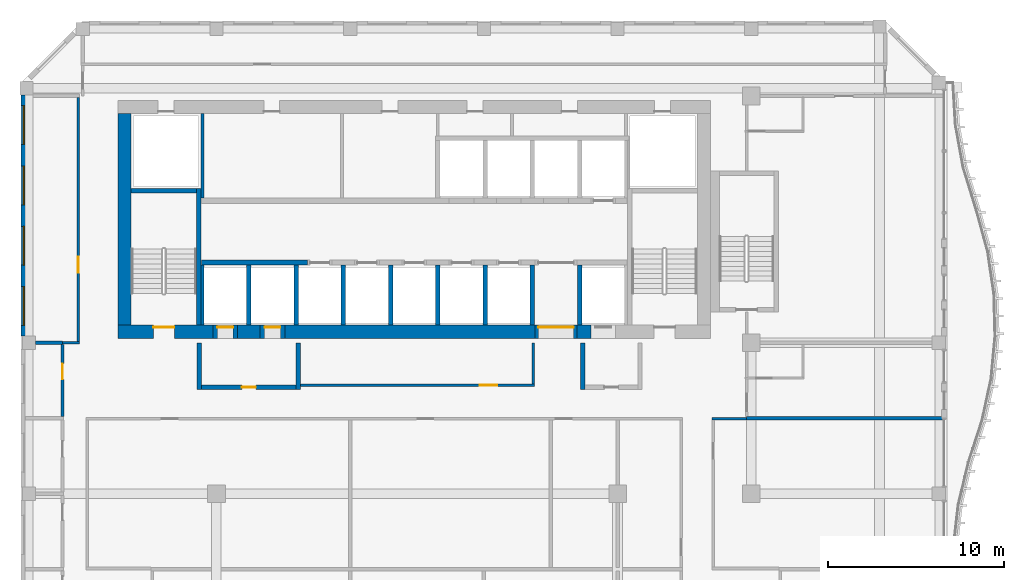
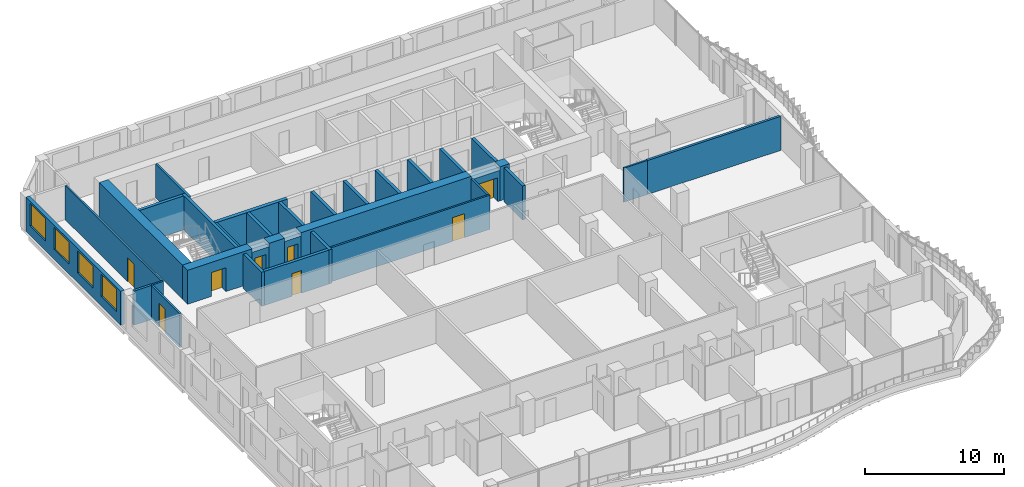
# One storey, part 13 of 22: 34 walls, 8 doors, 4 windows, 12 openings.
"""IFC4 building model written with IfcOpenShell, lengths in metres."""

from ifc_helpers import new_model, si_unit, direction, frame, frame_2d, origin, place, context, subcontext, project, spatial, rectangle, extrude, source, transform, mapped, material, layer, layer_set, type_object, element, fill, save


model = new_model("IFC4")

# Units and contexts
model_context = context("Model", 3, precision=1e-05, world=origin(), true_north=direction((0.0, 1.0)))
body_context = subcontext(model_context, "Body", "Model", "MODEL_VIEW")
ifc_project = project(units=[si_unit("LENGTHUNIT", "METRE"), si_unit("AREAUNIT", "SQUARE_METRE"), si_unit("VOLUMEUNIT", "CUBIC_METRE"), si_unit("PLANEANGLEUNIT", "RADIAN"), si_unit("MASSUNIT", "GRAM", prefix="KILO")], contexts=[model_context])

# Site, building, storey
site_placement = place(None, origin())
site = spatial("IfcSite", under=ifc_project, at=site_placement, CompositionType="ELEMENT")
building_placement = place(site_placement, origin())
building = spatial("IfcBuilding", under=site, at=building_placement, Name="Kilnfold Tower and Market Hall", CompositionType="ELEMENT")
storey_placement = place(building_placement, frame((0.0, 0.0, 220.300048828125)))
storey = spatial("IfcBuildingStorey", under=building, at=storey_placement, Name="L54", CompositionType="ELEMENT", Elevation=220.300048828125)

# Wall
ifc_material_1 = material(Name="Gypsum board on steel studs", Category="steel")
ifc_layer_1 = layer(ifc_material_1, 0.14990234375)
ifc_layer_set_1 = layer_set([ifc_layer_1], Name="Gypsum board on steel studs")
wall_type_1 = type_object("IfcWallType", Name="WALL CORRIDOR 150", PredefinedType="PARTITIONING", material=ifc_layer_set_1)
wall_1_placement = place(storey_placement, frame((-17.925048828125, 8.0, 0.0), z_axis=(0.0, 0.0, 1.0), x_axis=(-1.0, 0.0, 0.0)))
element("IfcWall", 1, at=wall_1_placement, inside=storey, type_object=wall_type_1, Name="Partition LY32.7", PredefinedType="PARTITIONING", context=body_context, shape_type="SweptSolid", body=[
    extrude(rectangle(XDim=0.975830078125, YDim=0.14990234375, at=frame_2d((0.48779296875, 0.0))), origin(), (0.0, 0.0, 1.0), 3.0),
])

# Wall, opening, door
wall_2_placement = place(storey_placement, frame((-18.0, 21.89990234375, 0.0), z_axis=(0.0, 0.0, 1.0), x_axis=(0.0, -1.0, 0.0)))
wall_2 = element("IfcWall", 2, at=wall_2_placement, inside=storey, type_object=wall_type_1, Name="Partition LY32.8", PredefinedType="PARTITIONING", context=body_context, shape_type="SweptSolid", body=[
    extrude(rectangle(XDim=13.824951171875, YDim=0.14990234375, at=frame_2d((6.91259765625, 0.0))), origin(), (0.0, 0.0, 1.0), 3.0),
])
opening_1_placement = place(wall_2_placement, frame((9.01806640625, 0.0, 0.0)))
opening_1 = element("IfcOpeningElement", 3, at=opening_1_placement, cuts=wall_2, Name="Opening D2", PredefinedType="OPENING", context=body_context, shape_type="SweptSolid", body=[
    extrude(rectangle(XDim=0.89990234375, YDim=2.10009765625, at=frame_2d((0.449951171875, 1.050048828125))), frame((0.0, 0.0849609375, 0.0), z_axis=(0.0, -1.0, 0.0), x_axis=(1.0, 0.0, 0.0)), (0.0, 0.0, 1.0), 0.169921875),
])
ifc_material_2 = material(Name="Timber veneer door leaf in steel frame", Category="steel")
door_type_1 = type_object("IfcDoorType", Name="DOOR ROOM 900 X2100", OperationType="NOTDEFINED", PredefinedType="DOOR", material=ifc_material_2)
door_1_placement = place(opening_1_placement, origin())
door_1 = element("IfcDoor", 4, at=door_1_placement, inside=storey, type_object=door_type_1, Name="Door D2", OperationType="SINGLE_SWING_LEFT", OverallHeight=2.10009765625, OverallWidth=0.89990234375, PredefinedType="DOOR", context=body_context, shape_type="SweptSolid", body=[
    extrude(rectangle(XDim=0.89990234375, YDim=2.10009765625, at=frame_2d((0.449951171875, 1.050048828125))), frame((0.0, 0.02490234375, 0.0), z_axis=(0.0, -1.0, 0.0), x_axis=(1.0, 0.0, 0.0)), (0.0, 0.0, 1.0), 0.050048828125),
])
fill(opening_1, door_1)

wall_3_placement = place(storey_placement, frame((-18.89990234375, 3.80908203125, 0.0), z_axis=(0.0, 0.0, 1.0), x_axis=(0.0, 1.0, 0.0)))
wall_3 = element("IfcWall", 5, at=wall_3_placement, inside=storey, type_object=wall_type_1, Name="Partition LY32.16", PredefinedType="PARTITIONING", context=body_context, shape_type="SweptSolid", body=[
    extrude(rectangle(XDim=4.091796875, YDim=0.14990234375, at=frame_2d((2.0458984375, 0.0))), origin(), (0.0, 0.0, 1.0), 3.0),
])
opening_2_placement = place(wall_3_placement, frame((2.111083984375, 0.0, 0.0)))
opening_2 = element("IfcOpeningElement", 6, at=opening_2_placement, cuts=wall_3, Name="Opening D2", PredefinedType="OPENING", context=body_context, shape_type="SweptSolid", body=[
    extrude(rectangle(XDim=0.89990234375, YDim=2.10009765625, at=frame_2d((0.449951171875, 1.050048828125))), frame((0.0, 0.0849609375, 0.0), z_axis=(0.0, -1.0, 0.0), x_axis=(1.0, 0.0, 0.0)), (0.0, 0.0, 1.0), 0.169921875),
])
door_2_placement = place(opening_2_placement, origin())
door_2 = element("IfcDoor", 7, at=door_2_placement, inside=storey, type_object=door_type_1, Name="Door D2", OperationType="SINGLE_SWING_RIGHT", OverallHeight=2.10009765625, OverallWidth=0.89990234375, PredefinedType="DOOR", context=body_context, shape_type="SweptSolid", body=[
    extrude(rectangle(XDim=0.89990234375, YDim=2.10009765625, at=frame_2d((0.449951171875, 1.050048828125))), frame((0.0, 0.02490234375, 0.0), z_axis=(0.0, -1.0, 0.0), x_axis=(1.0, 0.0, 0.0)), (0.0, 0.0, 1.0), 0.050048828125),
])
fill(opening_2, door_2)

# Wall
wall_4_placement = place(storey_placement, frame((17.925048828125, 3.699951171875, 0.0), z_axis=(0.0, 0.0, 1.0), x_axis=(1.0, 0.0, 0.0)))
element("IfcWall", 8, at=wall_4_placement, inside=storey, type_object=wall_type_1, Name="Partition LY32.25", PredefinedType="PARTITIONING", context=body_context, shape_type="SweptSolid", body=[
    extrude(rectangle(XDim=1.974853515625, YDim=0.14990234375, at=frame_2d((0.9873046875, 0.0))), origin(), (0.0, 0.0, 1.0), 3.0),
])

# Wall, opening, door
wall_5_placement = place(storey_placement, frame((7.875, 5.60009765625, 0.0), z_axis=(0.0, 0.0, 1.0), x_axis=(-1.0, 0.0, 0.0)))
wall_5 = element("IfcWall", 9, at=wall_5_placement, inside=storey, type_object=wall_type_1, Name="Partition LY32.32", PredefinedType="PARTITIONING", context=body_context, shape_type="SweptSolid", body=[
    extrude(rectangle(XDim=13.27490234375, YDim=0.14990234375, at=frame_2d((6.637451171875, 0.0))), origin(), (0.0, 0.0, 1.0), 3.0),
])
opening_3_placement = place(wall_5_placement, frame((2.112060546875, 0.0, 0.0)))
opening_3 = element("IfcOpeningElement", 10, at=opening_3_placement, cuts=wall_5, Name="Opening D1", PredefinedType="OPENING", context=body_context, shape_type="SweptSolid", body=[
    extrude(rectangle(XDim=1.0, YDim=2.10009765625, at=frame_2d((0.5, 1.050048828125))), frame((0.0, 0.0849609375, 0.0), z_axis=(0.0, -1.0, 0.0), x_axis=(1.0, 0.0, 0.0)), (0.0, 0.0, 1.0), 0.169921875),
])
ifc_material_3 = material(Name="Timber veneer door leaf in steel frame", Category="steel")
door_type_2 = type_object("IfcDoorType", Name="DOOR ENTRY 1000 X2100", OperationType="NOTDEFINED", PredefinedType="DOOR", material=ifc_material_3)
door_3_placement = place(opening_3_placement, origin())
door_3 = element("IfcDoor", 11, at=door_3_placement, inside=storey, type_object=door_type_2, Name="Door D1", OperationType="SINGLE_SWING_RIGHT", OverallHeight=2.10009765625, OverallWidth=1.0, PredefinedType="DOOR", context=body_context, shape_type="SweptSolid", body=[
    extrude(rectangle(XDim=1.0, YDim=2.10009765625, at=frame_2d((0.5, 1.050048828125))), frame((0.0, 0.02490234375, 0.0), z_axis=(0.0, -1.0, 0.0), x_axis=(1.0, 0.0, 0.0)), (0.0, 0.0, 1.0), 0.050048828125),
])
fill(opening_3, door_3)

# Walls
wall_6_placement = place(storey_placement, frame((7.800048828125, 8.0, 0.0), z_axis=(0.0, 0.0, 1.0), x_axis=(0.0, -1.0, 0.0)))
element("IfcWall", 12, at=wall_6_placement, inside=storey, type_object=wall_type_1, Name="Partition LY32.33", PredefinedType="PARTITIONING", context=body_context, shape_type="SweptSolid", body=[
    extrude(rectangle(XDim=2.324951171875, YDim=0.14990234375, at=frame_2d((1.16259765625, 0.0))), origin(), (0.0, 0.0, 1.0), 3.0),
])
ifc_material_4 = material(Name="Gypsum board on steel studs", Category="steel")
ifc_layer_2 = layer(ifc_material_4, 0.199951171875)
ifc_layer_set_2 = layer_set([ifc_layer_2], Name="Gypsum board on steel studs")
wall_type_2 = type_object("IfcWallType", Name="WALL PARTY 200", PredefinedType="PARTITIONING", material=ifc_layer_set_2)
wall_7_placement = place(storey_placement, frame((-20.425048828125, 8.0, 0.0), z_axis=(0.0, 0.0, 1.0), x_axis=(0.999999794741, 0.000640717472, 0.0)))
element("IfcWall", 13, at=wall_7_placement, inside=storey, type_object=wall_type_2, Name="Partition LY32.69", PredefinedType="PARTITIONING", context=body_context, shape_type="SweptSolid", body=[
    extrude(rectangle(XDim=1.524169921875, YDim=0.199951171875, at=frame_2d((0.76220703125, 0.0))), origin(), (0.0, 0.0, 1.0), 3.0),
])
wall_8_placement = place(storey_placement, frame((19.902099609375, 3.718994140625, 0.0), z_axis=(0.0, 0.0, 1.0), x_axis=(1.0, 0.0, 0.0)))
element("IfcWall", 14, at=wall_8_placement, inside=storey, type_object=wall_type_2, Name="Partition LY32.79", PredefinedType="PARTITIONING", context=body_context, shape_type="SweptSolid", body=[
    extrude(rectangle(XDim=11.097900390625, YDim=0.199951171875, at=frame_2d((5.548828125, 0.0))), origin(), (0.0, 0.0, 1.0), 3.0),
])
ifc_material_5 = material(Name="Concrete C60", Category="concrete")
ifc_layer_3 = layer(ifc_material_5, 0.25)
ifc_layer_set_3 = layer_set([ifc_layer_3], Name="Concrete C60")
wall_type_3 = type_object("IfcWallType", Name="CORE WALL 250 C60", PredefinedType="SHEAR", material=ifc_layer_set_3)
shared_shape_1 = source(origin(), body_context, "Body", "SweptSolid", [
    extrude(rectangle(XDim=7.75, YDim=0.25, at=frame_2d((3.875, 0.0))), origin(), (0.0, 0.0, 1.0), 3.0),
])
wall_9_placement = place(storey_placement, frame((-11.175048828125, 9.0, 0.0), z_axis=(0.0, 0.0, 1.0), x_axis=(0.0, 1.0, 0.0)))
element("IfcWall", 15, at=wall_9_placement, inside=storey, type_object=wall_type_3, Name="Stair enclosure ST1", PredefinedType="SHEAR", context=body_context, shape_type="MappedRepresentation", body=[
    mapped(shared_shape_1, transform((0.0, 0.0, 0.0))),
])
shared_shape_2 = source(origin(), body_context, "Body", "SweptSolid", [
    extrude(rectangle(XDim=3.699951171875, YDim=0.25, at=frame_2d((1.85009765625, 0.0))), origin(), (0.0, 0.0, 1.0), 3.0),
])
wall_10_placement = place(storey_placement, frame((-15.0, 16.625, 0.0), z_axis=(0.0, 0.0, 1.0), x_axis=(1.0, 0.0, 0.0)))
element("IfcWall", 16, at=wall_10_placement, inside=storey, type_object=wall_type_3, Name="Stair enclosure ST1", PredefinedType="SHEAR", context=body_context, shape_type="MappedRepresentation", body=[
    mapped(shared_shape_2, transform((0.0, 0.0, 0.0))),
])
ifc_material_6 = material(Name="Concrete C60", Category="concrete")
ifc_layer_4 = layer(ifc_material_6, 0.300048828125)
ifc_layer_set_4 = layer_set([ifc_layer_4], Name="Concrete C60")
wall_type_4 = type_object("IfcWallType", Name="CORE WALL 300 C60", PredefinedType="SHEAR", material=ifc_layer_set_4)
shared_shape_3 = source(origin(), body_context, "Body", "SweptSolid", [
    extrude(rectangle(XDim=6.0, YDim=0.300048828125, at=frame_2d((3.0, 0.0))), origin(), (0.0, 0.0, 1.0), 3.0),
])
wall_11_placement = place(storey_placement, frame((-11.010009765625, 12.550048828125, 0.0), z_axis=(0.0, 0.0, 1.0), x_axis=(1.0, 0.0, 0.0)))
element("IfcWall", 17, at=wall_11_placement, inside=storey, type_object=wall_type_4, Name="Core spine wall", PredefinedType="SHEAR", context=body_context, shape_type="MappedRepresentation", body=[
    mapped(shared_shape_3, transform((0.0, 0.0, 0.0))),
])

# Wall, opening, door
ifc_material_7 = material(Name="Concrete C60", Category="concrete")
ifc_layer_5 = layer(ifc_material_7, 0.75)
ifc_layer_set_5 = layer_set([ifc_layer_5], Name="Concrete C60")
wall_type_5 = type_object("IfcWallType", Name="CORE WALL 750 C60", PredefinedType="SHEAR", material=ifc_layer_set_5)
shared_shape_4 = source(origin(), body_context, "Body", "SweptSolid", [
    extrude(rectangle(XDim=5.3798828125, YDim=0.75, at=frame_2d((2.68994140625, 0.0))), origin(), (0.0, 0.0, 1.0), 3.0),
])
wall_12_placement = place(storey_placement, frame((-15.75, 8.625, 0.0), z_axis=(0.0, 0.0, 1.0), x_axis=(1.0, 0.0, 0.0)))
wall_12 = element("IfcWall", 18, at=wall_12_placement, inside=storey, type_object=wall_type_5, Name="Core outer wall south", PredefinedType="SHEAR", context=body_context, shape_type="MappedRepresentation", body=[
    mapped(shared_shape_4, transform((0.0, 0.0, 0.0))),
])
opening_4_placement = place(wall_12_placement, frame((2.0, 0.0, 0.0)))
opening_4 = element("IfcOpeningElement", 19, at=opening_4_placement, cuts=wall_12, Name="Opening SD1", PredefinedType="OPENING", context=body_context, shape_type="SweptSolid", body=[
    extrude(rectangle(XDim=1.199951171875, YDim=2.10009765625, at=frame_2d((0.60009765625, 1.050048828125))), frame((0.0, 0.385009765625, 0.0), z_axis=(0.0, -1.0, 0.0), x_axis=(1.0, 0.0, 0.0)), (0.0, 0.0, 1.0), 0.77001953125),
])
ifc_material_8 = material(Name="Steel door set with fire-resisting leaf", Category="steel")
door_type_3 = type_object("IfcDoorType", Name="STAIR FLOOR DOOR 1200X2100", OperationType="NOTDEFINED", PredefinedType="DOOR", material=ifc_material_8)
door_4_placement = place(opening_4_placement, origin())
door_4 = element("IfcDoor", 20, at=door_4_placement, inside=storey, type_object=door_type_3, Name="Exit stair ST1 door", OperationType="DOUBLE_DOOR_SINGLE_SWING", OverallHeight=2.10009765625, OverallWidth=1.199951171875, PredefinedType="DOOR", context=body_context, shape_type="SweptSolid", body=[
    extrude(rectangle(XDim=1.199951171875, YDim=2.10009765625, at=frame_2d((0.60009765625, 1.050048828125))), frame((0.0, 0.27978515625, 0.0), z_axis=(0.0, -1.0, 0.0), x_axis=(1.0, 0.0, 0.0)), (0.0, 0.0, 1.0), 0.050048828125),
])
fill(opening_4, door_4)

# Walls
shared_shape_5 = source(origin(), body_context, "Body", "SweptSolid", [
    extrude(rectangle(XDim=1.280029296875, YDim=0.75, at=frame_2d((0.64013671875, 0.0))), origin(), (0.0, 0.0, 1.0), 3.0),
])
wall_13_placement = place(storey_placement, frame((-8.969970703125, 8.625, 0.0), z_axis=(0.0, 0.0, 1.0), x_axis=(1.0, 0.0, 0.0)))
element("IfcWall", 21, at=wall_13_placement, inside=storey, type_object=wall_type_5, Name="Core outer wall south", PredefinedType="SHEAR", context=body_context, shape_type="MappedRepresentation", body=[
    mapped(shared_shape_5, transform((0.0, 0.0, 0.0))),
])
shared_shape_6 = source(origin(), body_context, "Body", "SweptSolid", [
    extrude(rectangle(XDim=14.179931640625, YDim=0.75, at=frame_2d((7.08984375, 0.0))), origin(), (0.0, 0.0, 1.0), 3.0),
])
wall_14_placement = place(storey_placement, frame((-6.2900390625, 8.625, 0.0), z_axis=(0.0, 0.0, 1.0), x_axis=(1.0, 0.0, 0.0)))
element("IfcWall", 22, at=wall_14_placement, inside=storey, type_object=wall_type_5, Name="Core outer wall south", PredefinedType="SHEAR", context=body_context, shape_type="MappedRepresentation", body=[
    mapped(shared_shape_6, transform((0.0, 0.0, 0.0))),
])
shared_shape_7 = source(origin(), body_context, "Body", "SweptSolid", [
    extrude(rectangle(XDim=0.780029296875, YDim=0.75, at=frame_2d((0.39013671875, 0.0))), origin(), (0.0, 0.0, 1.0), 3.0),
])
wall_15_placement = place(storey_placement, frame((10.2900390625, 8.625, 0.0), z_axis=(0.0, 0.0, 1.0), x_axis=(1.0, 0.0, 0.0)))
element("IfcWall", 23, at=wall_15_placement, inside=storey, type_object=wall_type_5, Name="Core outer wall south", PredefinedType="SHEAR", context=body_context, shape_type="MappedRepresentation", body=[
    mapped(shared_shape_7, transform((0.0, 0.0, 0.0))),
])
shared_shape_8 = source(origin(), body_context, "Body", "SweptSolid", [
    extrude(rectangle(XDim=12.0, YDim=0.75, at=frame_2d((6.0, 0.0))), origin(), (0.0, 0.0, 1.0), 3.0),
])
wall_16_placement = place(storey_placement, frame((-15.375, 9.0, 0.0), z_axis=(0.0, 0.0, 1.0), x_axis=(0.0, 1.0, 0.0)))
element("IfcWall", 24, at=wall_16_placement, inside=storey, type_object=wall_type_5, Name="Core outer wall west", PredefinedType="SHEAR", context=body_context, shape_type="MappedRepresentation", body=[
    mapped(shared_shape_8, transform((0.0, 0.0, 0.0))),
])

# Wall, openings, windows
ifc_material_9 = material(Name="Precast concrete C50/60", Category="concrete")
ifc_layer_6 = layer(ifc_material_9, 0.300048828125)
ifc_layer_set_6 = layer_set([ifc_layer_6], Name="Precast concrete C50/60")
wall_type_6 = type_object("IfcWallType", Name="PRECAST WALL 300", PredefinedType="SOLIDWALL", material=ifc_layer_set_6)
shared_shape_9 = source(origin(), body_context, "Body", "SweptSolid", [
    extrude(rectangle(XDim=13.681884765625, YDim=0.300048828125, at=frame_2d((6.8408203125, 0.0))), origin(), (0.0, 0.0, 1.0), 3.0),
])
wall_17_placement = place(storey_placement, frame((-21.10009765625, 22.056884765625, 0.0), z_axis=(0.0, 0.0, 1.0), x_axis=(0.0, -1.0, 0.0)))
wall_17 = element("IfcWall", 25, at=wall_17_placement, inside=storey, type_object=wall_type_6, Name="External wall L54 W", PredefinedType="SOLIDWALL", context=body_context, shape_type="MappedRepresentation", body=[
    mapped(shared_shape_9, transform((0.0, 0.0, 0.0))),
])
opening_5_placement = place(wall_17_placement, frame((0.610107421875, 0.0, 0.85009765625)))
opening_5 = element("IfcOpeningElement", 26, at=opening_5_placement, cuts=wall_17, Name="Opening W2", PredefinedType="OPENING", context=body_context, shape_type="SweptSolid", body=[
    extrude(rectangle(XDim=2.199951171875, YDim=1.949951171875, at=frame_2d((1.10009765625, 0.97509765625))), frame((0.0, 0.16015625, 0.0), z_axis=(0.0, -1.0, 0.0), x_axis=(1.0, 0.0, 0.0)), (0.0, 0.0, 1.0), 0.320068359375),
])
opening_6_placement = place(wall_17_placement, frame((4.030517578125, 0.0, 0.85009765625)))
opening_6 = element("IfcOpeningElement", 27, at=opening_6_placement, cuts=wall_17, Name="Opening W2", PredefinedType="OPENING", context=body_context, shape_type="SweptSolid", body=[
    extrude(rectangle(XDim=2.199951171875, YDim=1.949951171875, at=frame_2d((1.10009765625, 0.97509765625))), frame((0.0, 0.16015625, 0.0), z_axis=(0.0, -1.0, 0.0), x_axis=(1.0, 0.0, 0.0)), (0.0, 0.0, 1.0), 0.320068359375),
])
opening_7_placement = place(wall_17_placement, frame((7.451171875, 0.0, 0.85009765625)))
opening_7 = element("IfcOpeningElement", 28, at=opening_7_placement, cuts=wall_17, Name="Opening W2", PredefinedType="OPENING", context=body_context, shape_type="SweptSolid", body=[
    extrude(rectangle(XDim=2.199951171875, YDim=1.949951171875, at=frame_2d((1.10009765625, 0.97509765625))), frame((0.0, 0.16015625, 0.0), z_axis=(0.0, -1.0, 0.0), x_axis=(1.0, 0.0, 0.0)), (0.0, 0.0, 1.0), 0.320068359375),
])
opening_8_placement = place(wall_17_placement, frame((10.87158203125, 0.0, 0.85009765625)))
opening_8 = element("IfcOpeningElement", 29, at=opening_8_placement, cuts=wall_17, Name="Opening W2", PredefinedType="OPENING", context=body_context, shape_type="SweptSolid", body=[
    extrude(rectangle(XDim=2.199951171875, YDim=1.949951171875, at=frame_2d((1.10009765625, 0.97509765625))), frame((0.0, 0.16015625, 0.0), z_axis=(0.0, -1.0, 0.0), x_axis=(1.0, 0.0, 0.0)), (0.0, 0.0, 1.0), 0.320068359375),
])
ifc_material_10 = material(Name="Aluminium frame and double glazing", Category="aluminium")
window_type = type_object("IfcWindowType", Name="WINDOW W2 2200X1950", PartitioningType="SINGLE_PANEL", PredefinedType="WINDOW", material=ifc_material_10)
window_1_placement = place(opening_5_placement, origin())
window_1 = element("IfcWindow", 30, at=window_1_placement, inside=storey, type_object=window_type, Name="Window W2 L54 W-1", OverallHeight=1.949951171875, OverallWidth=2.199951171875, PartitioningType="SINGLE_PANEL", PredefinedType="WINDOW", context=body_context, shape_type="SweptSolid", body=[
    extrude(rectangle(XDim=2.199951171875, YDim=1.949951171875, at=frame_2d((1.10009765625, 0.97509765625))), frame((0.0, 0.030029296875, 0.0), z_axis=(0.0, -1.0, 0.0), x_axis=(1.0, 0.0, 0.0)), (0.0, 0.0, 1.0), 0.06005859375),
])
fill(opening_5, window_1)
window_2_placement = place(opening_6_placement, origin())
window_2 = element("IfcWindow", 31, at=window_2_placement, inside=storey, type_object=window_type, Name="Window W2 L54 W-2", OverallHeight=1.949951171875, OverallWidth=2.199951171875, PartitioningType="SINGLE_PANEL", PredefinedType="WINDOW", context=body_context, shape_type="SweptSolid", body=[
    extrude(rectangle(XDim=2.199951171875, YDim=1.949951171875, at=frame_2d((1.10009765625, 0.97509765625))), frame((0.0, 0.030029296875, 0.0), z_axis=(0.0, -1.0, 0.0), x_axis=(1.0, 0.0, 0.0)), (0.0, 0.0, 1.0), 0.06005859375),
])
fill(opening_6, window_2)
window_3_placement = place(opening_7_placement, origin())
window_3 = element("IfcWindow", 32, at=window_3_placement, inside=storey, type_object=window_type, Name="Window W2 L54 W-3", OverallHeight=1.949951171875, OverallWidth=2.199951171875, PartitioningType="SINGLE_PANEL", PredefinedType="WINDOW", context=body_context, shape_type="SweptSolid", body=[
    extrude(rectangle(XDim=2.199951171875, YDim=1.949951171875, at=frame_2d((1.10009765625, 0.97509765625))), frame((0.0, 0.030029296875, 0.0), z_axis=(0.0, -1.0, 0.0), x_axis=(1.0, 0.0, 0.0)), (0.0, 0.0, 1.0), 0.06005859375),
])
fill(opening_7, window_3)
window_4_placement = place(opening_8_placement, origin())
window_4 = element("IfcWindow", 33, at=window_4_placement, inside=storey, type_object=window_type, Name="Window W2 L54 W-4", OverallHeight=1.949951171875, OverallWidth=2.199951171875, PartitioningType="SINGLE_PANEL", PredefinedType="WINDOW", context=body_context, shape_type="SweptSolid", body=[
    extrude(rectangle(XDim=2.199951171875, YDim=1.949951171875, at=frame_2d((1.10009765625, 0.97509765625))), frame((0.0, 0.030029296875, 0.0), z_axis=(0.0, -1.0, 0.0), x_axis=(1.0, 0.0, 0.0)), (0.0, 0.0, 1.0), 0.06005859375),
])
fill(opening_8, window_4)

# Walls
ifc_material_11 = material(Name="Gypsum shaft wall system")
ifc_layer_7 = layer(ifc_material_11, 0.25)
ifc_layer_set_7 = layer_set([ifc_layer_7], Name="Gypsum shaft wall system")
wall_type_7 = type_object("IfcWallType", Name="LOBBY WALL 250", PredefinedType="PARTITIONING", material=ifc_layer_set_7)
shared_shape_10 = source(origin(), body_context, "Body", "SweptSolid", [
    extrude(rectangle(XDim=2.64990234375, YDim=0.25, at=frame_2d((1.324951171875, 0.0))), origin(), (0.0, 0.0, 1.0), 3.0),
])
for number, where, z_axis, x_axis, name in (
    (34, (-11.135009765625, 5.35009765625, 0.0), (0.0, 0.0, 1.0), (0.0, 1.0, 0.0), "Firefighting lobby wall"),
    (35, (-5.52490234375, 5.35009765625, 0.0), (0.0, 0.0, 1.0), (0.0, 1.0, 0.0), "Firefighting lobby wall"),
    (36, (10.60498046875, 5.35009765625, 0.0), (0.0, 0.0, 1.0), (0.0, 1.0, 0.0), "Firefighting lobby wall"),
):
    element("IfcWall", number, at=place(storey_placement, frame(where, z_axis=z_axis, x_axis=x_axis)), inside=storey, type_object=wall_type_7, Name=name, PredefinedType="PARTITIONING", context=body_context, shape_type="MappedRepresentation", body=[
        mapped(shared_shape_10, transform((0.0, 0.0, 0.0))),
    ])

# Wall, opening, door
shared_shape_11 = source(origin(), body_context, "Body", "SweptSolid", [
    extrude(rectangle(XDim=5.360107421875, YDim=0.25, at=frame_2d((2.68017578125, 0.0))), origin(), (0.0, 0.0, 1.0), 3.0),
])
wall_18_placement = place(storey_placement, frame((-11.010009765625, 5.47509765625, 0.0), z_axis=(0.0, 0.0, 1.0), x_axis=(1.0, 0.0, 0.0)))
wall_18 = element("IfcWall", 37, at=wall_18_placement, inside=storey, type_object=wall_type_7, Name="Firefighting lobby wall", PredefinedType="PARTITIONING", context=body_context, shape_type="MappedRepresentation", body=[
    mapped(shared_shape_11, transform((0.0, 0.0, 0.0))),
])
opening_9_placement = place(wall_18_placement, frame((2.280029296875, 0.0, 0.0)))
opening_9 = element("IfcOpeningElement", 38, at=opening_9_placement, cuts=wall_18, Name="Opening VD1", PredefinedType="OPENING", context=body_context, shape_type="SweptSolid", body=[
    extrude(rectangle(XDim=0.800048828125, YDim=2.0, at=frame_2d((0.39990234375, 1.0))), frame((0.0, 0.135009765625, 0.0), z_axis=(0.0, -1.0, 0.0), x_axis=(1.0, 0.0, 0.0)), (0.0, 0.0, 1.0), 0.27001953125),
])
ifc_material_12 = material(Name="Steel door set with fire-resisting leaf", Category="steel")
door_type_4 = type_object("IfcDoorType", Name="FIREFIGHTING LOBBY DOOR 800X2000", OperationType="NOTDEFINED", PredefinedType="DOOR", material=ifc_material_12)
door_5_placement = place(opening_9_placement, origin())
door_5 = element("IfcDoor", 39, at=door_5_placement, inside=storey, type_object=door_type_4, Name="Firefighting lobby door", OperationType="SINGLE_SWING_LEFT", OverallHeight=2.0, OverallWidth=0.800048828125, PredefinedType="DOOR", context=body_context, shape_type="SweptSolid", body=[
    extrude(rectangle(XDim=0.800048828125, YDim=2.0, at=frame_2d((0.39990234375, 1.0))), frame((0.0, 0.02490234375, 0.0), z_axis=(0.0, -1.0, 0.0), x_axis=(1.0, 0.0, 0.0)), (0.0, 0.0, 1.0), 0.050048828125),
])
fill(opening_9, door_5)

# Walls
ifc_material_13 = material(Name="Gypsum shaft wall system")
ifc_layer_8 = layer(ifc_material_13, 0.1650390625)
ifc_layer_set_8 = layer_set([ifc_layer_8], Name="Gypsum shaft wall system")
wall_type_8 = type_object("IfcWallType", Name="SHAFT WALL 165", PredefinedType="PARTITIONING", material=ifc_layer_set_8)
shared_shape_12 = source(origin(), body_context, "Body", "SweptSolid", [
    extrude(rectangle(XDim=4.800048828125, YDim=0.1650390625, at=frame_2d((2.39990234375, 0.0))), origin(), (0.0, 0.0, 1.0), 3.0),
])
wall_19_placement = place(storey_placement, frame((-10.967529296875, 16.199951171875, 0.0), z_axis=(0.0, 0.0, 1.0), x_axis=(0.0, 1.0, 0.0)))
element("IfcWall", 40, at=wall_19_placement, inside=storey, type_object=wall_type_8, Name="Lift shaft wall", PredefinedType="PARTITIONING", context=body_context, shape_type="MappedRepresentation", body=[
    mapped(shared_shape_12, transform((0.0, 0.0, 0.0))),
])
ifc_material_14 = material(Name="Gypsum shaft wall system")
ifc_layer_9 = layer(ifc_material_14, 0.25)
ifc_layer_set_9 = layer_set([ifc_layer_9], Name="Gypsum shaft wall system")
wall_type_9 = type_object("IfcWallType", Name="SHAFT WALL 250", PredefinedType="PARTITIONING", material=ifc_layer_set_9)
shared_shape_13 = source(origin(), body_context, "Body", "SweptSolid", [
    extrude(rectangle(XDim=3.39990234375, YDim=0.25, at=frame_2d((1.699951171875, 0.0))), origin(), (0.0, 0.0, 1.0), 3.0),
])
for number, where, z_axis, x_axis, name in (
    (41, (10.429931640625, 9.0, 0.0), (0.0, 0.0, 1.0), (0.0, 1.0, 0.0), "Lift shaft wall"),
    (42, (2.389892578125, 9.0, 0.0), (0.0, 0.0, 1.0), (0.0, 1.0, 0.0), "Lift shaft wall"),
    (43, (5.070068359375, 9.0, 0.0), (0.0, 0.0, 1.0), (0.0, 1.0, 0.0), "Lift shaft wall"),
    (44, (7.75, 9.0, 0.0), (0.0, 0.0, 1.0), (0.0, 1.0, 0.0), "Lift shaft wall"),
    (45, (-0.2900390625, 9.0, 0.0), (0.0, 0.0, 1.0), (0.0, 1.0, 0.0), "Lift shaft wall"),
    (46, (-2.969970703125, 9.0, 0.0), (0.0, 0.0, 1.0), (0.0, 1.0, 0.0), "Lift shaft wall"),
    (47, (-5.64990234375, 9.0, 0.0), (0.0, 0.0, 1.0), (0.0, 1.0, 0.0), "Lift shaft wall"),
    (48, (-8.330078125, 9.0, 0.0), (0.0, 0.0, 1.0), (0.0, 1.0, 0.0), "Lift shaft wall"),
):
    element("IfcWall", number, at=place(storey_placement, frame(where, z_axis=z_axis, x_axis=x_axis)), inside=storey, type_object=wall_type_9, Name=name, PredefinedType="PARTITIONING", context=body_context, shape_type="MappedRepresentation", body=[
        mapped(shared_shape_13, transform((0.0, 0.0, 0.0))),
    ])
shared_shape_14 = source(origin(), body_context, "Body", "SweptSolid", [
    extrude(rectangle(XDim=3.39990234375, YDim=0.1650390625, at=frame_2d((1.699951171875, 0.0))), origin(), (0.0, 0.0, 1.0), 3.0),
])
wall_20_placement = place(storey_placement, frame((-10.967529296875, 9.0, 0.0), z_axis=(0.0, 0.0, 1.0), x_axis=(0.0, 1.0, 0.0)))
element("IfcWall", 49, at=wall_20_placement, inside=storey, type_object=wall_type_8, Name="Lift shaft wall", PredefinedType="PARTITIONING", context=body_context, shape_type="MappedRepresentation", body=[
    mapped(shared_shape_14, transform((0.0, 0.0, 0.0))),
])

# Wall, opening, door
ifc_material_15 = material(Name="Gypsum shaft wall system")
ifc_layer_10 = layer(ifc_material_15, 0.75)
ifc_layer_set_10 = layer_set([ifc_layer_10], Name="Gypsum shaft wall system")
wall_type_10 = type_object("IfcWallType", Name="LOBBY WALL 750", PredefinedType="PARTITIONING", material=ifc_layer_set_10)
shared_shape_15 = source(origin(), body_context, "Body", "SweptSolid", [
    extrude(rectangle(XDim=1.400146484375, YDim=0.75, at=frame_2d((0.7001953125, 0.0))), origin(), (0.0, 0.0, 1.0), 2.699951171875),
])
wall_21_placement = place(storey_placement, frame((-10.3701171875, 8.625, 0.0), z_axis=(0.0, 0.0, 1.0), x_axis=(1.0, 0.0, 0.0)))
wall_21 = element("IfcWall", 50, at=wall_21_placement, inside=storey, type_object=wall_type_10, Name="Core wall infill", PredefinedType="PARTITIONING", context=body_context, shape_type="MappedRepresentation", body=[
    mapped(shared_shape_15, transform((0.0, 0.0, 0.0))),
])
opening_10_placement = place(wall_21_placement, frame((0.25, 0.0, 0.0)))
opening_10 = element("IfcOpeningElement", 51, at=opening_10_placement, cuts=wall_21, Name="Opening LD1", PredefinedType="OPENING", context=body_context, shape_type="SweptSolid", body=[
    extrude(rectangle(XDim=0.89990234375, YDim=2.10009765625, at=frame_2d((0.449951171875, 1.050048828125))), frame((0.0, 0.385009765625, 0.0), z_axis=(0.0, -1.0, 0.0), x_axis=(1.0, 0.0, 0.0)), (0.0, 0.0, 1.0), 0.77001953125),
])
ifc_material_16 = material(Name="Steel door set with fire-resisting leaf", Category="steel")
door_type_5 = type_object("IfcDoorType", Name="FIREFIGHTING LANDING DOOR 900X2100", OperationType="NOTDEFINED", PredefinedType="DOOR", material=ifc_material_16)
door_6_placement = place(opening_10_placement, origin())
door_6 = element("IfcDoor", 52, at=door_6_placement, inside=storey, type_object=door_type_5, Name="Landing door FF1", OperationType="SLIDING_TO_LEFT", OverallHeight=2.10009765625, OverallWidth=0.89990234375, PredefinedType="DOOR", context=body_context, shape_type="SweptSolid", body=[
    extrude(rectangle(XDim=0.89990234375, YDim=2.10009765625, at=frame_2d((0.449951171875, 1.050048828125))), frame((0.0, 0.27978515625, 0.0), z_axis=(0.0, -1.0, 0.0), x_axis=(1.0, 0.0, 0.0)), (0.0, 0.0, 1.0), 0.050048828125),
])
fill(opening_10, door_6)

shared_shape_16 = source(origin(), body_context, "Body", "SweptSolid", [
    extrude(rectangle(XDim=1.39990234375, YDim=0.75, at=frame_2d((0.699951171875, 0.0))), origin(), (0.0, 0.0, 1.0), 2.699951171875),
])
wall_22_placement = place(storey_placement, frame((-7.68994140625, 8.625, 0.0), z_axis=(0.0, 0.0, 1.0), x_axis=(1.0, 0.0, 0.0)))
wall_22 = element("IfcWall", 53, at=wall_22_placement, inside=storey, type_object=wall_type_10, Name="Core wall infill", PredefinedType="PARTITIONING", context=body_context, shape_type="MappedRepresentation", body=[
    mapped(shared_shape_16, transform((0.0, 0.0, 0.0))),
])
opening_11_placement = place(wall_22_placement, frame((0.25, 0.0, 0.0)))
opening_11 = element("IfcOpeningElement", 54, at=opening_11_placement, cuts=wall_22, Name="Opening LD1", PredefinedType="OPENING", context=body_context, shape_type="SweptSolid", body=[
    extrude(rectangle(XDim=0.89990234375, YDim=2.10009765625, at=frame_2d((0.449951171875, 1.050048828125))), frame((0.0, 0.385009765625, 0.0), z_axis=(0.0, -1.0, 0.0), x_axis=(1.0, 0.0, 0.0)), (0.0, 0.0, 1.0), 0.77001953125),
])
door_7_placement = place(opening_11_placement, origin())
door_7 = element("IfcDoor", 55, at=door_7_placement, inside=storey, type_object=door_type_5, Name="Landing door FF2", OperationType="SLIDING_TO_RIGHT", OverallHeight=2.10009765625, OverallWidth=0.89990234375, PredefinedType="DOOR", context=body_context, shape_type="SweptSolid", body=[
    extrude(rectangle(XDim=0.89990234375, YDim=2.10009765625, at=frame_2d((0.449951171875, 1.050048828125))), frame((0.0, 0.27978515625, 0.0), z_axis=(0.0, -1.0, 0.0), x_axis=(1.0, 0.0, 0.0)), (0.0, 0.0, 1.0), 0.050048828125),
])
fill(opening_11, door_7)

shared_shape_17 = source(origin(), body_context, "Body", "SweptSolid", [
    extrude(rectangle(XDim=2.400146484375, YDim=0.75, at=frame_2d((1.2001953125, 0.0))), origin(), (0.0, 0.0, 1.0), 2.699951171875),
])
wall_23_placement = place(storey_placement, frame((7.889892578125, 8.625, 0.0), z_axis=(0.0, 0.0, 1.0), x_axis=(1.0, 0.0, 0.0)))
wall_23 = element("IfcWall", 56, at=wall_23_placement, inside=storey, type_object=wall_type_10, Name="Core wall infill", PredefinedType="PARTITIONING", context=body_context, shape_type="MappedRepresentation", body=[
    mapped(shared_shape_17, transform((0.0, 0.0, 0.0))),
])
opening_12_placement = place(wall_23_placement, frame((0.199951171875, 0.0, 0.0)))
opening_12 = element("IfcOpeningElement", 57, at=opening_12_placement, cuts=wall_23, Name="Opening VD2", PredefinedType="OPENING", context=body_context, shape_type="SweptSolid", body=[
    extrude(rectangle(XDim=2.0, YDim=2.10009765625, at=frame_2d((1.0, 1.050048828125))), frame((0.0, 0.385009765625, 0.0), z_axis=(0.0, -1.0, 0.0), x_axis=(1.0, 0.0, 0.0)), (0.0, 0.0, 1.0), 0.77001953125),
])
ifc_material_17 = material(Name="Steel door set with fire-resisting leaf", Category="steel")
door_type_6 = type_object("IfcDoorType", Name="LIFT LOBBY ENTRANCE DOOR 2000X2100", OperationType="NOTDEFINED", PredefinedType="DOOR", material=ifc_material_17)
door_8_placement = place(opening_12_placement, origin())
door_8 = element("IfcDoor", 58, at=door_8_placement, inside=storey, type_object=door_type_6, Name="Lift lobby entrance door", OperationType="DOUBLE_DOOR_SINGLE_SWING", OverallHeight=2.10009765625, OverallWidth=2.0, PredefinedType="DOOR", context=body_context, shape_type="SweptSolid", body=[
    extrude(rectangle(XDim=2.0, YDim=2.10009765625, at=frame_2d((1.0, 1.050048828125))), frame((0.0, 0.27978515625, 0.0), z_axis=(0.0, -1.0, 0.0), x_axis=(1.0, 0.0, 0.0)), (0.0, 0.0, 1.0), 0.050048828125),
])
fill(opening_12, door_8)

save(model, "model.ifc")
